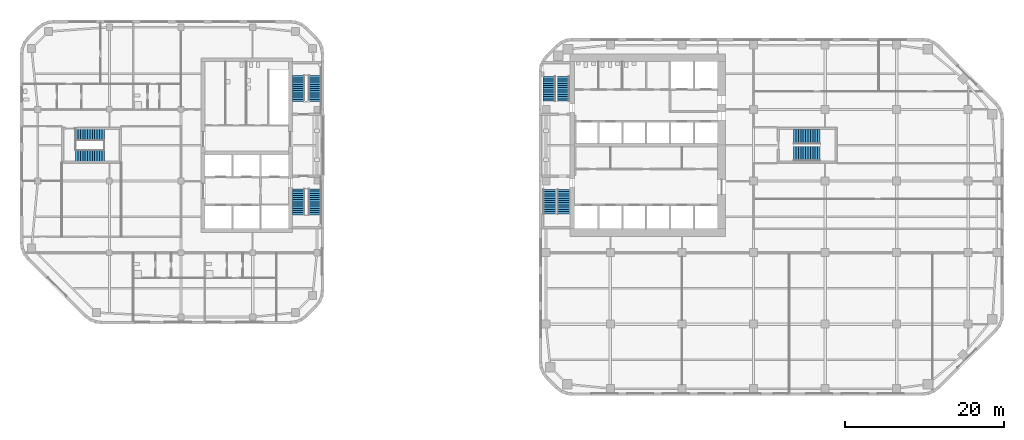
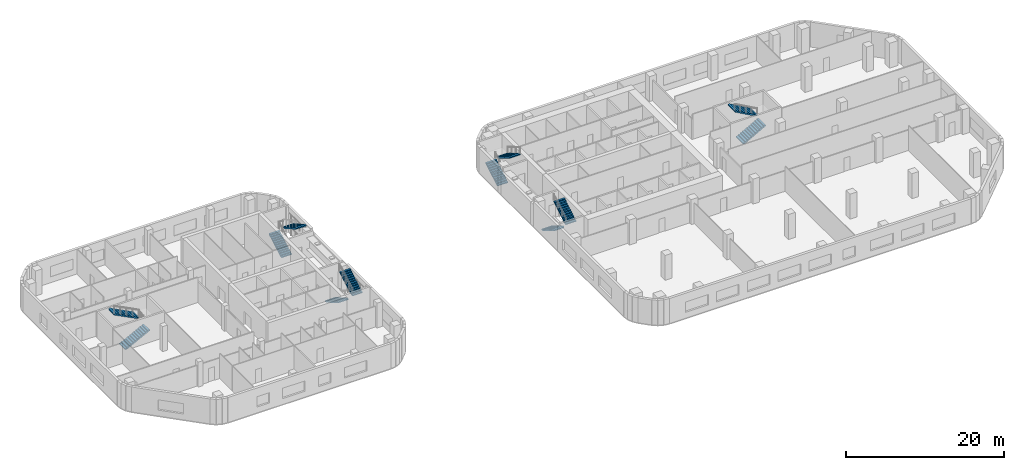
# One storey, part 12 of 15: 12 stair flights, 6 elements without a shape of their own.
"""IFC4 building model written with IfcOpenShell, lengths in metres."""

from ifc_helpers import new_model, si_unit, direction, frame, origin, place, context, subcontext, project, spatial, polyline, outline, extrude, material, type_object, element, aggregate, save


model = new_model("IFC4")

# Units and contexts
model_context = context("Model", 3, precision=1e-05, world=origin(), true_north=direction((0.0, 1.0)))
body_context = subcontext(model_context, "Body", "Model", "MODEL_VIEW")
ifc_project = project(units=[si_unit("LENGTHUNIT", "METRE"), si_unit("AREAUNIT", "SQUARE_METRE"), si_unit("VOLUMEUNIT", "CUBIC_METRE"), si_unit("PLANEANGLEUNIT", "RADIAN"), si_unit("MASSUNIT", "GRAM", prefix="KILO")], contexts=[model_context])

# Site, building, storey
site_placement = place(None, origin())
site = spatial("IfcSite", under=ifc_project, at=site_placement, CompositionType="ELEMENT")
building_placement = place(site_placement, origin())
building = spatial("IfcBuilding", under=site, at=building_placement, Name="Cinnabar Reach Civic Tower", CompositionType="ELEMENT")
storey_placement = place(building_placement, frame((0.0, 0.0, 67.0)))
storey = spatial("IfcBuildingStorey", under=building, at=storey_placement, Name="L15", CompositionType="ELEMENT", Elevation=67.0)

# Stair, stair flights
ifc_material_1 = material(Name="Concrete C40/50", Category="concrete")
stair_type_1 = type_object("IfcStairType", Name="T1 Exit stair, half-turn", PredefinedType="HALF_TURN_STAIR", material=ifc_material_1)
stair_1_placement = place(storey_placement, origin())
stair_1 = element("IfcStair", 1, at=stair_1_placement, inside=storey, type_object=stair_type_1, Name="Stair T1-S1", PredefinedType="HALF_TURN_STAIR")
stair_flight_type_1 = type_object("IfcStairFlightType", Name="T1 Stair flight, concrete", PredefinedType="STRAIGHT", material=ifc_material_1)
stair_flight_1_placement = place(storey_placement, frame((1.3125, 25.95, 0.0), z_axis=(0.0, 0.0, 1.0), x_axis=(0.0, -1.0, 0.0)))
stair_flight_1 = element("IfcStairFlight", 2, at=stair_flight_1_placement, type_object=stair_flight_type_1, Name="T1-S1 flight 1", NumberOfRisers=12, NumberOfTreads=11, PredefinedType="STRAIGHT", RiserHeight=0.166666667, TreadLength=0.28, context=body_context, shape_type="SweptSolid", body=[
    extrude(outline(polyline([(0.0, 0.0), (0.0, 0.1667), (0.28, 0.1667), (0.28, 0.3333), (0.56, 0.3333), (0.56, 0.5), (0.84, 0.5), (0.84, 0.6667), (1.12, 0.6667), (1.12, 0.8333), (1.4, 0.8333), (1.4, 1.0), (1.68, 1.0), (1.68, 1.1667), (1.96, 1.1667), (1.96, 1.3333), (2.24, 1.3333), (2.24, 1.5), (2.52, 1.5), (2.52, 1.6667), (2.8, 1.6667), (2.8, 1.8333), (3.08, 1.8333), (3.08, 2.0), (3.08, 1.6588), (0.2933, 0.0), (0.0, 0.0)])), frame((0.0, 0.7625, 0.0), z_axis=(0.0, -1.0, 0.0), x_axis=(1.0, 0.0, 0.0)), (0.0, 0.0, 1.0), 1.525),
])
stair_flight_2_placement = place(storey_placement, frame((3.0875, 22.87, 2.0), z_axis=(0.0, 0.0, 1.0), x_axis=(0.0, 1.0, 0.0)))
stair_flight_2 = element("IfcStairFlight", 3, at=stair_flight_2_placement, type_object=stair_flight_type_1, Name="T1-S1 flight 2", NumberOfRisers=12, NumberOfTreads=11, PredefinedType="STRAIGHT", RiserHeight=0.166666667, TreadLength=0.28, context=body_context, shape_type="SweptSolid", body=[
    extrude(outline(polyline([(0.0, 0.0), (0.0, 0.1667), (0.28, 0.1667), (0.28, 0.3333), (0.56, 0.3333), (0.56, 0.5), (0.84, 0.5), (0.84, 0.6667), (1.12, 0.6667), (1.12, 0.8333), (1.4, 0.8333), (1.4, 1.0), (1.68, 1.0), (1.68, 1.1667), (1.96, 1.1667), (1.96, 1.3333), (2.24, 1.3333), (2.24, 1.5), (2.52, 1.5), (2.52, 1.6667), (2.8, 1.6667), (2.8, 1.8333), (3.08, 1.8333), (3.08, 2.0), (3.08, 1.6588), (0.2933, 0.0), (0.0, 0.0)])), frame((0.0, 0.7625, 0.0), z_axis=(0.0, -1.0, 0.0), x_axis=(1.0, 0.0, 0.0)), (0.0, 0.0, 1.0), 1.525),
])
aggregate(stair_1, [stair_flight_1, stair_flight_2])

stair_2_placement = place(storey_placement, origin())
stair_2 = element("IfcStair", 4, at=stair_2_placement, inside=storey, type_object=stair_type_1, Name="Stair T1-S2", PredefinedType="HALF_TURN_STAIR")
stair_flight_3_placement = place(storey_placement, frame((1.3125, 37.05, 0.0), z_axis=(0.0, 0.0, 1.0), x_axis=(0.0, 1.0, 0.0)))
stair_flight_3 = element("IfcStairFlight", 5, at=stair_flight_3_placement, type_object=stair_flight_type_1, Name="T1-S2 flight 1", NumberOfRisers=12, NumberOfTreads=11, PredefinedType="STRAIGHT", RiserHeight=0.166666667, TreadLength=0.28, context=body_context, shape_type="SweptSolid", body=[
    extrude(outline(polyline([(0.0, 0.0), (0.0, 0.1667), (0.28, 0.1667), (0.28, 0.3333), (0.56, 0.3333), (0.56, 0.5), (0.84, 0.5), (0.84, 0.6667), (1.12, 0.6667), (1.12, 0.8333), (1.4, 0.8333), (1.4, 1.0), (1.68, 1.0), (1.68, 1.1667), (1.96, 1.1667), (1.96, 1.3333), (2.24, 1.3333), (2.24, 1.5), (2.52, 1.5), (2.52, 1.6667), (2.8, 1.6667), (2.8, 1.8333), (3.08, 1.8333), (3.08, 2.0), (3.08, 1.6588), (0.2933, 0.0), (0.0, 0.0)])), frame((0.0, 0.7625, 0.0), z_axis=(0.0, -1.0, 0.0), x_axis=(1.0, 0.0, 0.0)), (0.0, 0.0, 1.0), 1.525),
])
stair_flight_4_placement = place(storey_placement, frame((3.0875, 40.13, 2.0), z_axis=(0.0, 0.0, 1.0), x_axis=(0.0, -1.0, 0.0)))
stair_flight_4 = element("IfcStairFlight", 6, at=stair_flight_4_placement, type_object=stair_flight_type_1, Name="T1-S2 flight 2", NumberOfRisers=12, NumberOfTreads=11, PredefinedType="STRAIGHT", RiserHeight=0.166666667, TreadLength=0.28, context=body_context, shape_type="SweptSolid", body=[
    extrude(outline(polyline([(0.0, 0.0), (0.0, 0.1667), (0.28, 0.1667), (0.28, 0.3333), (0.56, 0.3333), (0.56, 0.5), (0.84, 0.5), (0.84, 0.6667), (1.12, 0.6667), (1.12, 0.8333), (1.4, 0.8333), (1.4, 1.0), (1.68, 1.0), (1.68, 1.1667), (1.96, 1.1667), (1.96, 1.3333), (2.24, 1.3333), (2.24, 1.5), (2.52, 1.5), (2.52, 1.6667), (2.8, 1.6667), (2.8, 1.8333), (3.08, 1.8333), (3.08, 2.0), (3.08, 1.6588), (0.2933, 0.0), (0.0, 0.0)])), frame((0.0, 0.7625, 0.0), z_axis=(0.0, -1.0, 0.0), x_axis=(1.0, 0.0, 0.0)), (0.0, 0.0, 1.0), 1.525),
])
aggregate(stair_2, [stair_flight_3, stair_flight_4])

stair_3_placement = place(storey_placement, origin())
stair_3 = element("IfcStair", 7, at=stair_3_placement, inside=storey, type_object=stair_type_1, Name="Stair T1-S3", PredefinedType="HALF_TURN_STAIR")
stair_flight_5_placement = place(storey_placement, frame((32.05, 30.45, 0.0), z_axis=(0.0, 0.0, 1.0), x_axis=(1.0, 0.0, 0.0)))
stair_flight_5 = element("IfcStairFlight", 8, at=stair_flight_5_placement, type_object=stair_flight_type_1, Name="T1-S3 flight 1", NumberOfRisers=12, NumberOfTreads=11, PredefinedType="STRAIGHT", RiserHeight=0.166666667, TreadLength=0.3, context=body_context, shape_type="SweptSolid", body=[
    extrude(outline(polyline([(0.0, 0.0), (0.0, 0.1667), (0.3, 0.1667), (0.3, 0.3333), (0.6, 0.3333), (0.6, 0.5), (0.9, 0.5), (0.9, 0.6667), (1.2, 0.6667), (1.2, 0.8333), (1.5, 0.8333), (1.5, 1.0), (1.8, 1.0), (1.8, 1.1667), (2.1, 1.1667), (2.1, 1.3333), (2.4, 1.3333), (2.4, 1.5), (2.7, 1.5), (2.7, 1.6667), (3.0, 1.6667), (3.0, 1.8333), (3.3, 1.8333), (3.3, 2.0), (3.3, 1.6617), (0.3089, 0.0), (0.0, 0.0)])), frame((0.0, 0.9, 0.0), z_axis=(0.0, -1.0, 0.0), x_axis=(1.0, 0.0, 0.0)), (0.0, 0.0, 1.0), 1.8),
])
stair_flight_6_placement = place(storey_placement, frame((35.35, 32.55, 2.0), z_axis=(0.0, 0.0, 1.0), x_axis=(-1.0, 0.0, 0.0)))
stair_flight_6 = element("IfcStairFlight", 9, at=stair_flight_6_placement, type_object=stair_flight_type_1, Name="T1-S3 flight 2", NumberOfRisers=12, NumberOfTreads=11, PredefinedType="STRAIGHT", RiserHeight=0.166666667, TreadLength=0.3, context=body_context, shape_type="SweptSolid", body=[
    extrude(outline(polyline([(0.0, 0.0), (0.0, 0.1667), (0.3, 0.1667), (0.3, 0.3333), (0.6, 0.3333), (0.6, 0.5), (0.9, 0.5), (0.9, 0.6667), (1.2, 0.6667), (1.2, 0.8333), (1.5, 0.8333), (1.5, 1.0), (1.8, 1.0), (1.8, 1.1667), (2.1, 1.1667), (2.1, 1.3333), (2.4, 1.3333), (2.4, 1.5), (2.7, 1.5), (2.7, 1.6667), (3.0, 1.6667), (3.0, 1.8333), (3.3, 1.8333), (3.3, 2.0), (3.3, 1.6617), (0.3089, 0.0), (0.0, 0.0)])), frame((0.0, 0.9, 0.0), z_axis=(0.0, -1.0, 0.0), x_axis=(1.0, 0.0, 0.0)), (0.0, 0.0, 1.0), 1.8),
])
aggregate(stair_3, [stair_flight_5, stair_flight_6])

ifc_material_2 = material(Name="Concrete C40", Category="concrete")
stair_type_2 = type_object("IfcStairType", Name="T2 Exit stair 1500", PredefinedType="HALF_TURN_STAIR", material=ifc_material_2)
stair_4_placement = place(storey_placement, origin())
stair_4 = element("IfcStair", 10, at=stair_4_placement, inside=storey, type_object=stair_type_2, Name="Exit stair 1", PredefinedType="HALF_TURN_STAIR")
stair_flight_type_2 = type_object("IfcStairFlightType", Name="T2 Stair flight 1500", PredefinedType="STRAIGHT", material=ifc_material_2)
stair_flight_7_placement = place(storey_placement, frame((-30.25, 26.0, 0.0), z_axis=(0.0, 0.0, 1.0), x_axis=(0.0, -1.0, 0.0)))
stair_flight_7 = element("IfcStairFlight", 11, at=stair_flight_7_placement, type_object=stair_flight_type_2, Name="ST1 flight 1", NumberOfRisers=13, NumberOfTreads=12, PredefinedType="STRAIGHT", RiserHeight=0.153846154, TreadLength=0.270833333, context=body_context, shape_type="SweptSolid", body=[
    extrude(outline(polyline([(0.0, 0.0), (0.0, 0.1538), (0.2708, 0.1538), (0.2708, 0.3077), (0.5417, 0.3077), (0.5417, 0.4615), (0.8125, 0.4615), (0.8125, 0.6154), (1.0833, 0.6154), (1.0833, 0.7692), (1.3542, 0.7692), (1.3542, 0.9231), (1.625, 0.9231), (1.625, 1.0769), (1.8958, 1.0769), (1.8958, 1.2308), (2.1667, 1.2308), (2.1667, 1.3846), (2.4375, 1.3846), (2.4375, 1.5385), (2.7083, 1.5385), (2.7083, 1.6923), (2.9792, 1.6923), (2.9792, 1.8462), (3.25, 1.8462), (3.25, 2.0), (3.25, 1.6736), (0.3037, 0.0), (0.0, 0.0)])), frame((0.0, 0.75, 0.0), z_axis=(0.0, -1.0, 0.0), x_axis=(1.0, 0.0, 0.0)), (0.0, 0.0, 1.0), 1.5),
])
stair_flight_8_placement = place(storey_placement, frame((-28.15, 22.75, 2.0), z_axis=(0.0, 0.0, 1.0), x_axis=(0.0, 1.0, 0.0)))
stair_flight_8 = element("IfcStairFlight", 12, at=stair_flight_8_placement, type_object=stair_flight_type_2, Name="ST1 flight 2", NumberOfRisers=13, NumberOfTreads=12, PredefinedType="STRAIGHT", RiserHeight=0.153846154, TreadLength=0.270833333, context=body_context, shape_type="SweptSolid", body=[
    extrude(outline(polyline([(0.0, 0.0), (0.0, 0.1538), (0.2708, 0.1538), (0.2708, 0.3077), (0.5417, 0.3077), (0.5417, 0.4615), (0.8125, 0.4615), (0.8125, 0.6154), (1.0833, 0.6154), (1.0833, 0.7692), (1.3542, 0.7692), (1.3542, 0.9231), (1.625, 0.9231), (1.625, 1.0769), (1.8958, 1.0769), (1.8958, 1.2308), (2.1667, 1.2308), (2.1667, 1.3846), (2.4375, 1.3846), (2.4375, 1.5385), (2.7083, 1.5385), (2.7083, 1.6923), (2.9792, 1.6923), (2.9792, 1.8462), (3.25, 1.8462), (3.25, 2.0), (3.25, 1.6736), (0.3037, 0.0), (0.0, 0.0)])), frame((0.0, 0.75, 0.0), z_axis=(0.0, -1.0, 0.0), x_axis=(1.0, 0.0, 0.0)), (0.0, 0.0, 1.0), 1.5),
])
aggregate(stair_4, [stair_flight_7, stair_flight_8])

stair_5_placement = place(storey_placement, origin())
stair_5 = element("IfcStair", 13, at=stair_5_placement, inside=storey, type_object=stair_type_2, Name="Exit stair 2", PredefinedType="HALF_TURN_STAIR")
stair_flight_9_placement = place(storey_placement, frame((-30.25, 37.0, 0.0), z_axis=(0.0, 0.0, 1.0), x_axis=(0.0, 1.0, 0.0)))
stair_flight_9 = element("IfcStairFlight", 14, at=stair_flight_9_placement, type_object=stair_flight_type_2, Name="ST2 flight 1", NumberOfRisers=13, NumberOfTreads=12, PredefinedType="STRAIGHT", RiserHeight=0.153846154, TreadLength=0.270833333, context=body_context, shape_type="SweptSolid", body=[
    extrude(outline(polyline([(0.0, 0.0), (0.0, 0.1538), (0.2708, 0.1538), (0.2708, 0.3077), (0.5417, 0.3077), (0.5417, 0.4615), (0.8125, 0.4615), (0.8125, 0.6154), (1.0833, 0.6154), (1.0833, 0.7692), (1.3542, 0.7692), (1.3542, 0.9231), (1.625, 0.9231), (1.625, 1.0769), (1.8958, 1.0769), (1.8958, 1.2308), (2.1667, 1.2308), (2.1667, 1.3846), (2.4375, 1.3846), (2.4375, 1.5385), (2.7083, 1.5385), (2.7083, 1.6923), (2.9792, 1.6923), (2.9792, 1.8462), (3.25, 1.8462), (3.25, 2.0), (3.25, 1.6736), (0.3037, 0.0), (0.0, 0.0)])), frame((0.0, 0.75, 0.0), z_axis=(0.0, -1.0, 0.0), x_axis=(1.0, 0.0, 0.0)), (0.0, 0.0, 1.0), 1.5),
])
stair_flight_10_placement = place(storey_placement, frame((-28.15, 40.25, 2.0), z_axis=(0.0, 0.0, 1.0), x_axis=(0.0, -1.0, 0.0)))
stair_flight_10 = element("IfcStairFlight", 15, at=stair_flight_10_placement, type_object=stair_flight_type_2, Name="ST2 flight 2", NumberOfRisers=13, NumberOfTreads=12, PredefinedType="STRAIGHT", RiserHeight=0.153846154, TreadLength=0.270833333, context=body_context, shape_type="SweptSolid", body=[
    extrude(outline(polyline([(0.0, 0.0), (0.0, 0.1538), (0.2708, 0.1538), (0.2708, 0.3077), (0.5417, 0.3077), (0.5417, 0.4615), (0.8125, 0.4615), (0.8125, 0.6154), (1.0833, 0.6154), (1.0833, 0.7692), (1.3542, 0.7692), (1.3542, 0.9231), (1.625, 0.9231), (1.625, 1.0769), (1.8958, 1.0769), (1.8958, 1.2308), (2.1667, 1.2308), (2.1667, 1.3846), (2.4375, 1.3846), (2.4375, 1.5385), (2.7083, 1.5385), (2.7083, 1.6923), (2.9792, 1.6923), (2.9792, 1.8462), (3.25, 1.8462), (3.25, 2.0), (3.25, 1.6736), (0.3037, 0.0), (0.0, 0.0)])), frame((0.0, 0.75, 0.0), z_axis=(0.0, -1.0, 0.0), x_axis=(1.0, 0.0, 0.0)), (0.0, 0.0, 1.0), 1.5),
])
aggregate(stair_5, [stair_flight_9, stair_flight_10])

stair_6_placement = place(storey_placement, origin())
stair_6 = element("IfcStair", 16, at=stair_6_placement, inside=storey, type_object=stair_type_2, Name="Exit stair 3", PredefinedType="HALF_TURN_STAIR")
stair_flight_11_placement = place(storey_placement, frame((-58.25, 30.125, 0.0), z_axis=(0.0, 0.0, 1.0), x_axis=(1.0, 0.0, 0.0)))
stair_flight_11 = element("IfcStairFlight", 17, at=stair_flight_11_placement, type_object=stair_flight_type_2, Name="ST3 flight 1", NumberOfRisers=13, NumberOfTreads=12, PredefinedType="STRAIGHT", RiserHeight=0.153846154, TreadLength=0.3, context=body_context, shape_type="SweptSolid", body=[
    extrude(outline(polyline([(0.0, 0.0), (0.0, 0.1538), (0.3, 0.1538), (0.3, 0.3077), (0.6, 0.3077), (0.6, 0.4615), (0.9, 0.4615), (0.9, 0.6154), (1.2, 0.6154), (1.2, 0.7692), (1.5, 0.7692), (1.5, 0.9231), (1.8, 0.9231), (1.8, 1.0769), (2.1, 1.0769), (2.1, 1.2308), (2.4, 1.2308), (2.4, 1.3846), (2.7, 1.3846), (2.7, 1.5385), (3.0, 1.5385), (3.0, 1.6923), (3.3, 1.6923), (3.3, 1.8462), (3.6, 1.8462), (3.6, 2.0), (3.6, 1.6776), (0.3287, 0.0), (0.0, 0.0)])), frame((0.0, 0.75, 0.0), z_axis=(0.0, -1.0, 0.0), x_axis=(1.0, 0.0, 0.0)), (0.0, 0.0, 1.0), 1.5),
])
stair_flight_12_placement = place(storey_placement, frame((-54.65, 32.875, 2.0), z_axis=(0.0, 0.0, 1.0), x_axis=(-1.0, 0.0, 0.0)))
stair_flight_12 = element("IfcStairFlight", 18, at=stair_flight_12_placement, type_object=stair_flight_type_2, Name="ST3 flight 2", NumberOfRisers=13, NumberOfTreads=12, PredefinedType="STRAIGHT", RiserHeight=0.153846154, TreadLength=0.3, context=body_context, shape_type="SweptSolid", body=[
    extrude(outline(polyline([(0.0, 0.0), (0.0, 0.1538), (0.3, 0.1538), (0.3, 0.3077), (0.6, 0.3077), (0.6, 0.4615), (0.9, 0.4615), (0.9, 0.6154), (1.2, 0.6154), (1.2, 0.7692), (1.5, 0.7692), (1.5, 0.9231), (1.8, 0.9231), (1.8, 1.0769), (2.1, 1.0769), (2.1, 1.2308), (2.4, 1.2308), (2.4, 1.3846), (2.7, 1.3846), (2.7, 1.5385), (3.0, 1.5385), (3.0, 1.6923), (3.3, 1.6923), (3.3, 1.8462), (3.6, 1.8462), (3.6, 2.0), (3.6, 1.6776), (0.3287, 0.0), (0.0, 0.0)])), frame((0.0, 0.75, 0.0), z_axis=(0.0, -1.0, 0.0), x_axis=(1.0, 0.0, 0.0)), (0.0, 0.0, 1.0), 1.5),
])
aggregate(stair_6, [stair_flight_11, stair_flight_12])

save(model, "model.ifc")
